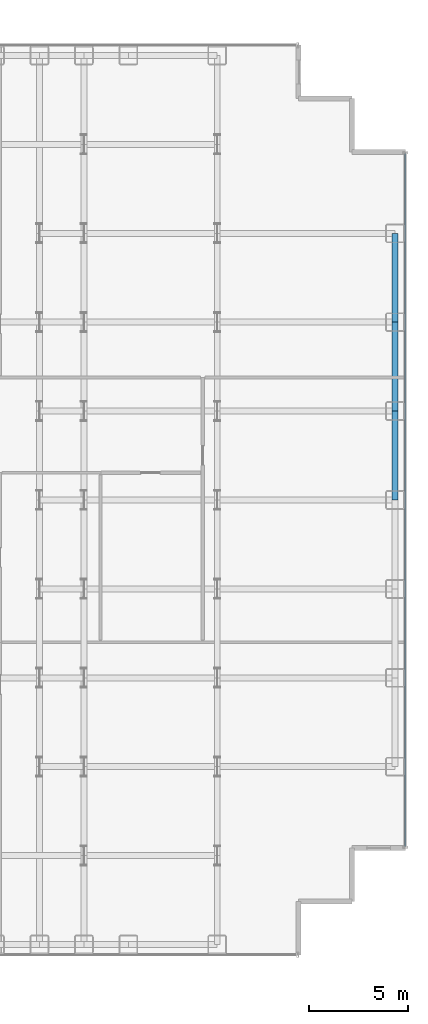
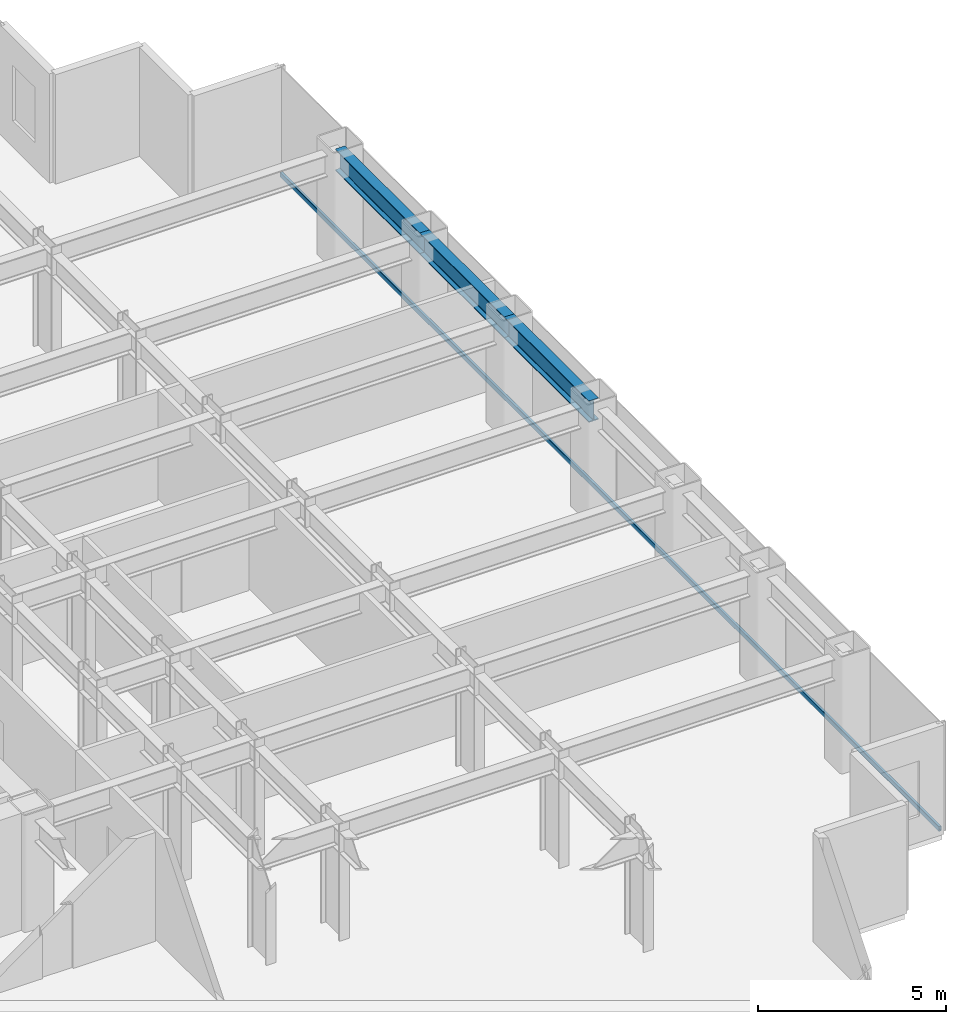
# One storey, part 17 of 25: 3 beams, 1 member, 1 element without a shape of its own.
"""IFC4 building model written with IfcOpenShell, lengths in metres."""

from ifc_helpers import new_model, si_unit, direction, frame, origin, origin_2d, place, context, subcontext, project, spatial, hollow_rectangle, i_section, extrude, source, transform, mapped, material, layer, layer_set, material_profile, profile_set, type_object, element, aggregate, save


model = new_model("IFC4")

# Units and contexts
model_context = context("Model", 3, precision=1e-05, world=origin(), true_north=direction((0.0, 1.0)))
body_context = subcontext(model_context, "Body", "Model", "MODEL_VIEW")
ifc_project = project(units=[si_unit("LENGTHUNIT", "METRE"), si_unit("AREAUNIT", "SQUARE_METRE"), si_unit("VOLUMEUNIT", "CUBIC_METRE"), si_unit("PLANEANGLEUNIT", "RADIAN"), si_unit("MASSUNIT", "GRAM", prefix="KILO")], contexts=[model_context])

# Site, building, storey
site_placement = place(None, origin())
site = spatial("IfcSite", under=ifc_project, at=site_placement, CompositionType="ELEMENT")
building_placement = place(site_placement, origin())
building = spatial("IfcBuilding", under=site, at=building_placement, Name="Nefas-Gora Pilgrimage Tower", CompositionType="ELEMENT")
storey_placement = place(building_placement, frame((0.0, 0.0, 52.0)))
storey = spatial("IfcBuildingStorey", under=building, at=storey_placement, Name="L11", CompositionType="ELEMENT", Elevation=52.0)

# Beams
ifc_material_1 = material(Name="Steel S355", Category="steel")
ifc_material_profile_1 = material_profile(ifc_material_1, i_section(OverallWidth=0.300048828125, OverallDepth=0.699951171875, WebThickness=0.01708984375, FlangeThickness=0.031982421875, FilletRadius=0.027099609375, at=origin_2d()), Name="HEB 700")
ifc_profile_set_1 = profile_set([ifc_material_profile_1], Name="Steel S355")
beam_type = type_object("IfcBeamType", Name="BM-SPN-HEB600", PredefinedType="SPANDREL", material=ifc_profile_set_1)
shared_shape_1 = source(origin(), body_context, "Body", "SweptSolid", [
    extrude(i_section(OverallWidth=0.300048828125, OverallDepth=0.699951171875, WebThickness=0.01708984375, FlangeThickness=0.031982421875, FilletRadius=0.027099609375, at=origin_2d()), origin(), (0.0, 0.0, 1.0), 4.5),
])
for number, where, z_axis, x_axis, name in (
    (1, (33.75, 0.0, 3.199951171875), (0.0, 1.0, 0.0), (-1.0, 0.0, 0.0), "L11 SP-01 beam"),
    (2, (33.75, 4.5, 3.199951171875), (0.0, 1.0, 0.0), (-1.0, 0.0, 0.0), "L11 SP-01 beam"),
    (3, (33.75, 9.0, 3.199951171875), (0.0, 1.0, 0.0), (-1.0, 0.0, 0.0), "L11 SP-01 beam"),
):
    element("IfcBeam", number, at=place(storey_placement, frame(where, z_axis=z_axis, x_axis=x_axis)), inside=storey, type_object=beam_type, Name=name, PredefinedType="SPANDREL", context=body_context, shape_type="MappedRepresentation", body=[
        mapped(shared_shape_1, transform((0.0, 0.0, 0.0), x_axis=(1.0, 0.0, 0.0), y_axis=(0.0, 1.0, 0.0), z_axis=(0.0, 0.0, 1.0), scale=1.0)),
    ])

# Curtain wall, member
ifc_material_2 = material(Name="Dark ceramic-fritted solar-control aluminium-glass curtain wall", Category="aluminium")
ifc_layer = layer(ifc_material_2, 0.219970703125)
ifc_layer_set = layer_set([ifc_layer], Name="Dark ceramic-fritted solar-control aluminium-glass curtain wall")
curtain_wall_type = type_object("IfcCurtainWallType", Name="CW-SYS-2", PredefinedType="NOTDEFINED", material=ifc_layer_set)
curtain_wall_placement = place(storey_placement, origin())
curtain_wall = element("IfcCurtainWall", 4, at=curtain_wall_placement, inside=storey, type_object=curtain_wall_type, Name="L11 Unitised Curtain Wall CW2", PredefinedType="NOTDEFINED")
ifc_material_3 = material(Name="Anodised architectural aluminium", Category="aluminium")
ifc_material_profile_2 = material_profile(ifc_material_3, hollow_rectangle(XDim=0.080078125, YDim=0.159912109375, WallThickness=0.00439453125, InnerFilletRadius=0.00439453125, OuterFilletRadius=0.009033203125, at=origin_2d()), Name="ALU TRANSOM 80x160")
ifc_profile_set_2 = profile_set([ifc_material_profile_2], Name="Anodised architectural aluminium")
member_type = type_object("IfcMemberType", Name="CWM-TRN-2", PredefinedType="USERDEFINED", material=ifc_profile_set_2)
shared_shape_2 = source(origin(), body_context, "Body", "SweptSolid", [
    extrude(hollow_rectangle(XDim=0.080078125, YDim=0.159912109375, WallThickness=0.00439453125, InnerFilletRadius=0.00439453125, OuterFilletRadius=0.009033203125, at=origin_2d()), origin(), (0.0, 0.0, 1.0), 35.06005859375),
])
member_placement = place(storey_placement, frame((34.27001953125, -17.530029296875, 0.050048828125), z_axis=(0.0, 1.0, 0.0), x_axis=(-1.0, 0.0, 0.0)))
member = element("IfcMember", 5, at=member_placement, type_object=member_type, Name="CW2 Spandrel Transom", ObjectType="TRANSOM", PredefinedType="USERDEFINED", context=body_context, shape_type="MappedRepresentation", body=[
    mapped(shared_shape_2, transform((0.0, 0.0, 0.0), x_axis=(1.0, 0.0, 0.0), y_axis=(0.0, 1.0, 0.0), z_axis=(0.0, 0.0, 1.0), scale=1.0)),
])
aggregate(curtain_wall, [member])

save(model, "model.ifc")
